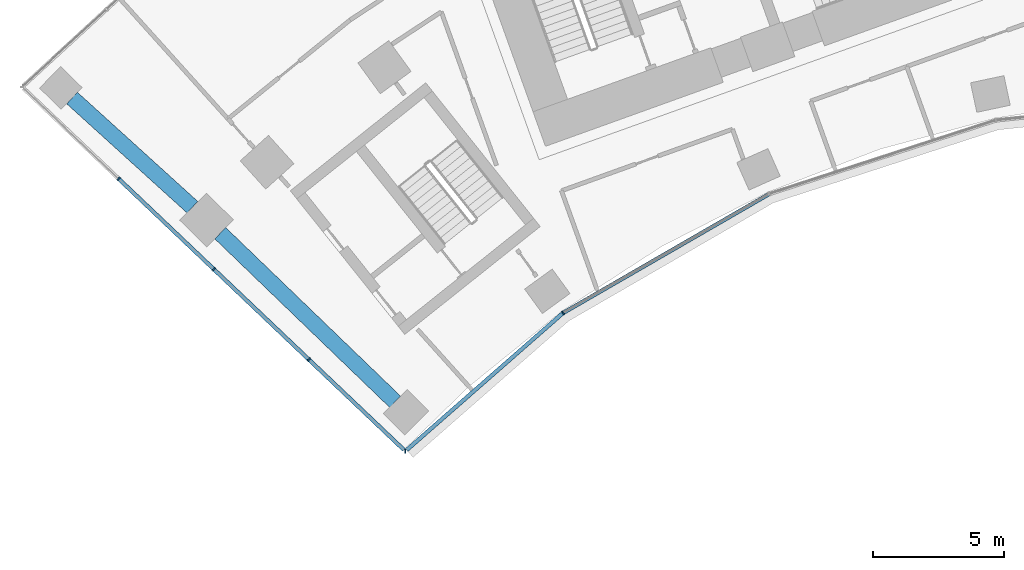
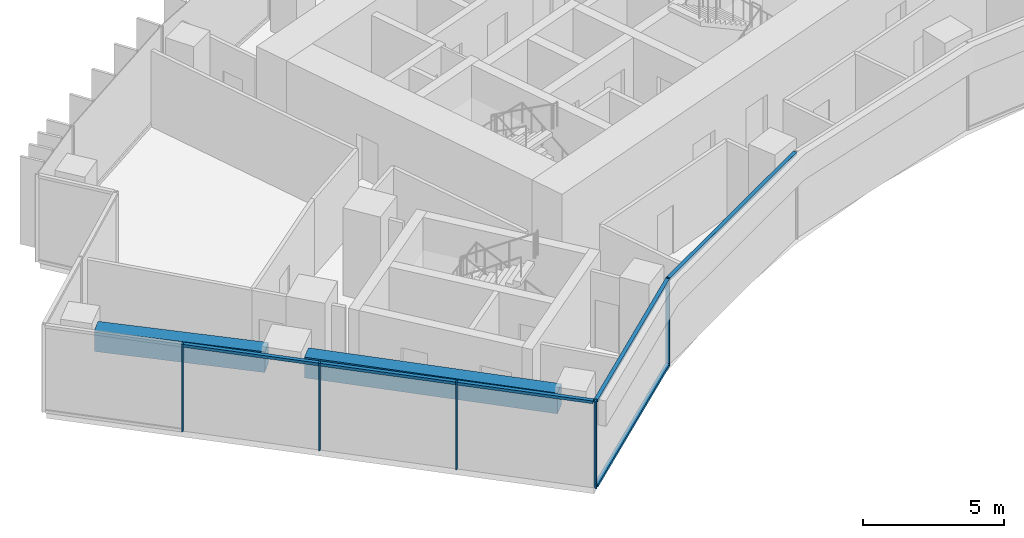
# One storey, part 2 of 22: 11 members, 2 beams, 2 elements without a shape of their own.
"""IFC4 building model written with IfcOpenShell, lengths in metres."""

from ifc_helpers import new_model, si_unit, direction, frame, origin, origin_2d, place, context, subcontext, project, spatial, rectangle, extrude, material, layer, layer_set, material_profile, profile_set, type_object, element, aggregate, save


model = new_model("IFC4")

# Units and contexts
model_context = context("Model", 3, precision=1e-05, world=origin(), true_north=direction((0.0, 1.0)))
body_context = subcontext(model_context, "Body", "Model", "MODEL_VIEW")
ifc_project = project(units=[si_unit("LENGTHUNIT", "METRE"), si_unit("AREAUNIT", "SQUARE_METRE"), si_unit("VOLUMEUNIT", "CUBIC_METRE"), si_unit("PLANEANGLEUNIT", "RADIAN"), si_unit("MASSUNIT", "GRAM", prefix="KILO")], contexts=[model_context])

# Site, building, storey
site_placement = place(None, origin())
site = spatial("IfcSite", under=ifc_project, at=site_placement, CompositionType="ELEMENT")
building_placement = place(site_placement, origin())
building = spatial("IfcBuilding", under=site, at=building_placement, Name="Stone Belt Terrace Tower", CompositionType="ELEMENT")
storey_placement = place(building_placement, frame((0.0, 0.0, 132.60009765625)))
storey = spatial("IfcBuildingStorey", under=building, at=storey_placement, Name="L32", CompositionType="ELEMENT", Elevation=132.60009765625)

# Curtain wall, members
ifc_material_1 = material(Name="Aluminium 6063-T6 anodised frame", Category="aluminium")
ifc_layer_1 = layer(ifc_material_1, 0.14990234375)
ifc_layer_set_1 = layer_set([ifc_layer_1], Name="CW-B unitised concave-face curtain wall")
curtain_wall_type_1 = type_object("IfcCurtainWallType", Name="CW-B unitised concave-face curtain wall", PredefinedType="NOTDEFINED", material=ifc_layer_set_1)
curtain_wall_1_placement = place(storey_placement, origin())
curtain_wall_1 = element("IfcCurtainWall", 1, at=curtain_wall_1_placement, inside=storey, type_object=curtain_wall_type_1, Name="CW-B concave face L32", PredefinedType="NOTDEFINED")
ifc_material_profile_1 = material_profile(ifc_material_1, rectangle(XDim=0.14990234375, YDim=0.050048828125, at=origin_2d()), Name="Aluminium 6063-T6 50x150")
ifc_profile_set_1 = profile_set([ifc_material_profile_1], Name="Aluminium 6063-T6 anodised frame")
member_type_1 = type_object("IfcMemberType", Name="CW-B mullion 50 x 150", PredefinedType="MULLION", material=ifc_profile_set_1)
member_1_placement = place(storey_placement, frame((-31.535888671875, 29.863037109375, 0.0), z_axis=(0.0, 0.0, 1.0), x_axis=(0.020135351708, 0.999797263255, 0.0)))
member_1 = element("IfcMember", 2, at=member_1_placement, type_object=member_type_1, Name="CW-B mullion 1", PredefinedType="MULLION", context=body_context, shape_type="SweptSolid", body=[
    extrude(rectangle(XDim=0.14990234375, YDim=0.050048828125, at=origin_2d()), origin(), (0.0, 0.0, 1.0), 3.7998046875),
])
member_2_placement = place(storey_placement, frame((-25.524658203125, 35.130859375, 0.0), z_axis=(0.0, 0.0, 1.0), x_axis=(-0.582341737817, 0.812944094263, 0.0)))
member_2 = element("IfcMember", 3, at=member_2_placement, type_object=member_type_1, Name="CW-B mullion 2", PredefinedType="MULLION", context=body_context, shape_type="SweptSolid", body=[
    extrude(rectangle(XDim=0.14990234375, YDim=0.050048828125, at=origin_2d()), origin(), (0.0, 0.0, 1.0), 3.7998046875),
])
ifc_material_profile_2 = material_profile(ifc_material_1, rectangle(XDim=0.14990234375, YDim=0.1201171875, at=origin_2d()), Name="Aluminium 6063-T6 150x120")
ifc_profile_set_2 = profile_set([ifc_material_profile_2], Name="Aluminium 6063-T6 anodised frame")
member_type_2 = type_object("IfcMemberType", Name="CW-B transom 120 x 150", PredefinedType="USERDEFINED", material=ifc_profile_set_2)
member_3_placement = place(storey_placement, frame((-31.48388671875, 29.908447265625, 0.059814453125), z_axis=(0.752060929485, 0.659093588455, 0.0), x_axis=(-0.659093588455, 0.752060929485, 0.0)))
member_3 = element("IfcMember", 4, at=member_3_placement, type_object=member_type_2, Name="CW-B transom 1.1", ObjectType="TRANSOM", PredefinedType="USERDEFINED", context=body_context, shape_type="SweptSolid", body=[
    extrude(rectangle(XDim=0.14990234375, YDim=0.1201171875, at=origin_2d()), origin(), (0.0, 0.0, 1.0), 7.891357421875),
])
member_4_placement = place(storey_placement, frame((-31.48388671875, 29.908447265625, 3.739990234375), z_axis=(0.752060929485, 0.659093588455, 0.0), x_axis=(-0.659093588455, 0.752060929485, 0.0)))
member_4 = element("IfcMember", 5, at=member_4_placement, type_object=member_type_2, Name="CW-B transom 1.2", ObjectType="TRANSOM", PredefinedType="USERDEFINED", context=body_context, shape_type="SweptSolid", body=[
    extrude(rectangle(XDim=0.14990234375, YDim=0.1201171875, at=origin_2d()), origin(), (0.0, 0.0, 1.0), 7.891357421875),
])
member_5_placement = place(storey_placement, frame((-25.496826171875, 35.14697265625, 3.739990234375), z_axis=(0.866015991872, 0.500016301556, 0.0), x_axis=(-0.500016301556, 0.866015991872, 0.0)))
member_5 = element("IfcMember", 6, at=member_5_placement, type_object=member_type_2, Name="CW-B transom 2.1", ObjectType="TRANSOM", PredefinedType="USERDEFINED", context=body_context, shape_type="SweptSolid", body=[
    extrude(rectangle(XDim=0.14990234375, YDim=0.1201171875, at=origin_2d()), origin(), (0.0, 0.0, 1.0), 9.013916015625),
])
aggregate(curtain_wall_1, [member_1, member_2, member_3, member_4, member_5])

ifc_layer_2 = layer(ifc_material_1, 0.14990234375)
ifc_layer_set_2 = layer_set([ifc_layer_2], Name="CW-C stick curtain wall, horn ends and notches")
curtain_wall_type_2 = type_object("IfcCurtainWallType", Name="CW-C stick curtain wall, horn ends and notches", PredefinedType="NOTDEFINED", material=ifc_layer_set_2)
curtain_wall_2_placement = place(storey_placement, origin())
curtain_wall_2 = element("IfcCurtainWall", 7, at=curtain_wall_2_placement, inside=storey, type_object=curtain_wall_type_2, Name="CW-C end face L32", PredefinedType="NOTDEFINED")
ifc_material_profile_3 = material_profile(ifc_material_1, rectangle(XDim=0.14990234375, YDim=0.06005859375, at=origin_2d()), Name="Aluminium 6063-T6 60x150")
ifc_profile_set_3 = profile_set([ifc_material_profile_3], Name="Aluminium 6063-T6 anodised frame")
member_type_3 = type_object("IfcMemberType", Name="CW-C mullion 60 x 150", PredefinedType="MULLION", material=ifc_profile_set_3)
member_6_placement = place(storey_placement, frame((-42.459228515625, 40.24267578125, 0.0), z_axis=(0.0, 0.0, 1.0), x_axis=(0.688839705238, 0.72491369175, 0.0)))
member_6 = element("IfcMember", 8, at=member_6_placement, type_object=member_type_3, Name="CW-C mullion 2", PredefinedType="MULLION", context=body_context, shape_type="SweptSolid", body=[
    extrude(rectangle(XDim=0.14990234375, YDim=0.06005859375, at=origin_2d()), origin(), (0.0, 0.0, 1.0), 3.7998046875),
])
member_7_placement = place(storey_placement, frame((-38.83447265625, 36.798583984375, 0.0), z_axis=(0.0, 0.0, 1.0), x_axis=(0.688839705238, 0.72491369175, 0.0)))
member_7 = element("IfcMember", 9, at=member_7_placement, type_object=member_type_3, Name="CW-C mullion 3", PredefinedType="MULLION", context=body_context, shape_type="SweptSolid", body=[
    extrude(rectangle(XDim=0.14990234375, YDim=0.06005859375, at=origin_2d()), origin(), (0.0, 0.0, 1.0), 3.7998046875),
])
member_8_placement = place(storey_placement, frame((-35.2099609375, 33.354248046875, 0.0), z_axis=(0.0, 0.0, 1.0), x_axis=(0.688839705238, 0.72491369175, 0.0)))
member_8 = element("IfcMember", 10, at=member_8_placement, type_object=member_type_3, Name="CW-C mullion 4", PredefinedType="MULLION", context=body_context, shape_type="SweptSolid", body=[
    extrude(rectangle(XDim=0.14990234375, YDim=0.06005859375, at=origin_2d()), origin(), (0.0, 0.0, 1.0), 3.7998046875),
])
ifc_material_profile_4 = material_profile(ifc_material_1, rectangle(XDim=0.14990234375, YDim=0.1201171875, at=origin_2d()), Name="Aluminium 6063-T6 150x120")
ifc_profile_set_4 = profile_set([ifc_material_profile_4], Name="Aluminium 6063-T6 anodised frame")
member_type_4 = type_object("IfcMemberType", Name="CW-C transom 120 x 150", PredefinedType="USERDEFINED", material=ifc_profile_set_4)
member_9_placement = place(storey_placement, frame((-42.437255859375, 40.22216796875, 3.739990234375), z_axis=(0.724915521956, -0.688837779181, 0.0), x_axis=(0.688837779181, 0.724915521956, 0.0)))
member_9 = element("IfcMember", 11, at=member_9_placement, type_object=member_type_4, Name="CW-C transom 2.1", ObjectType="TRANSOM", PredefinedType="USERDEFINED", context=body_context, shape_type="SweptSolid", body=[
    extrude(rectangle(XDim=0.14990234375, YDim=0.1201171875, at=origin_2d()), origin(), (0.0, 0.0, 1.0), 4.93994140625),
])
member_10_placement = place(storey_placement, frame((-38.812744140625, 36.77783203125, 3.739990234375), z_axis=(0.724915521956, -0.688837779181, 0.0), x_axis=(0.688837779181, 0.724915521956, 0.0)))
member_10 = element("IfcMember", 12, at=member_10_placement, type_object=member_type_4, Name="CW-C transom 3.1", ObjectType="TRANSOM", PredefinedType="USERDEFINED", context=body_context, shape_type="SweptSolid", body=[
    extrude(rectangle(XDim=0.14990234375, YDim=0.1201171875, at=origin_2d()), origin(), (0.0, 0.0, 1.0), 4.93994140625),
])
member_11_placement = place(storey_placement, frame((-35.188232421875, 33.333740234375, 3.739990234375), z_axis=(0.724896313567, -0.688857993041, 0.0), x_axis=(0.688857993041, 0.724896313567, 0.0)))
member_11 = element("IfcMember", 13, at=member_11_placement, type_object=member_type_4, Name="CW-C transom 4.1", ObjectType="TRANSOM", PredefinedType="USERDEFINED", context=body_context, shape_type="SweptSolid", body=[
    extrude(rectangle(XDim=0.14990234375, YDim=0.1201171875, at=origin_2d()), origin(), (0.0, 0.0, 1.0), 4.965576171875),
])
aggregate(curtain_wall_2, [member_6, member_7, member_8, member_9, member_10, member_11])

# Beams
ifc_material_2 = material(Name="Concrete B60", Category="concrete")
ifc_material_profile_5 = material_profile(ifc_material_2, rectangle(XDim=0.60009765625, YDim=0.89990234375, at=origin_2d()), Name="RC 600x900")
ifc_profile_set_5 = profile_set([ifc_material_profile_5], Name="Concrete B60")
beam_type = type_object("IfcBeamType", Name="Edge beam RC 600x900 B60", PredefinedType="SPANDREL", material=ifc_profile_set_5)
beam_1_placement = place(storey_placement, frame((-31.921875, 31.745849609375, 2.849853515625), z_axis=(-0.720003843897, 0.69397007484, 0.0), x_axis=(-0.69397007484, -0.720003843897, 0.0)))
element("IfcBeam", 14, at=beam_1_placement, inside=storey, type_object=beam_type, Name="Edge beam L32 A P to Q", PredefinedType="SPANDREL", context=body_context, shape_type="SweptSolid", body=[
    extrude(rectangle(XDim=0.60009765625, YDim=0.89990234375, at=origin_2d()), origin(), (0.0, 0.0, 1.0), 9.255859375),
])
beam_2_placement = place(storey_placement, frame((-39.645751953125, 39.159912109375, 2.849853515625), z_axis=(-0.740792015058, 0.671734464224, 0.0), x_axis=(-0.671734464224, -0.740792015058, 0.0)))
element("IfcBeam", 15, at=beam_2_placement, inside=storey, type_object=beam_type, Name="Edge beam L32 A Q to R", PredefinedType="SPANDREL", context=body_context, shape_type="SweptSolid", body=[
    extrude(rectangle(XDim=0.60009765625, YDim=0.89990234375, at=origin_2d()), origin(), (0.0, 0.0, 1.0), 6.19384765625),
])

save(model, "model.ifc")
